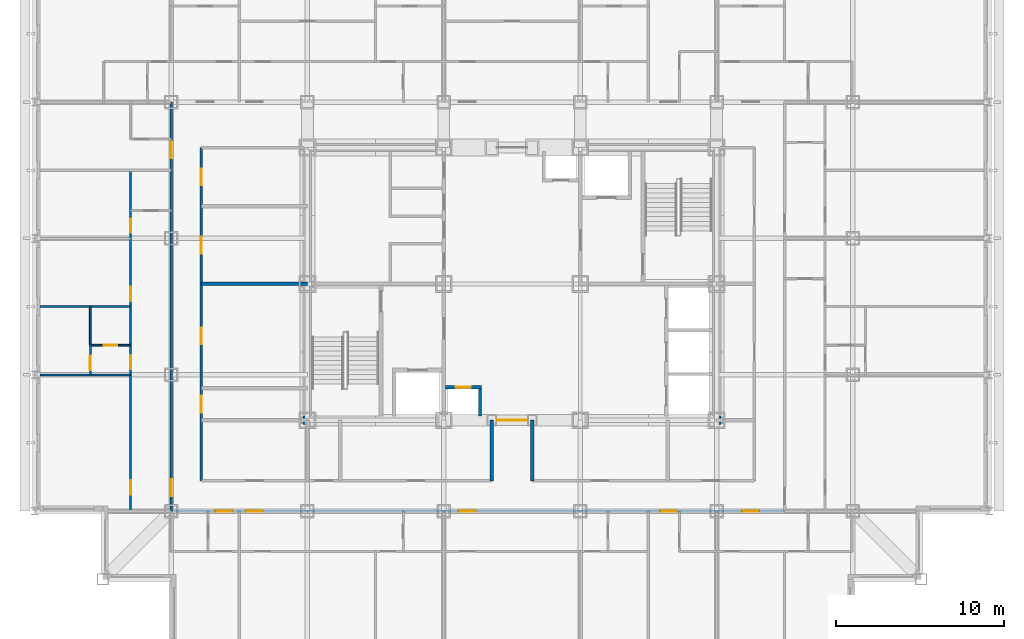
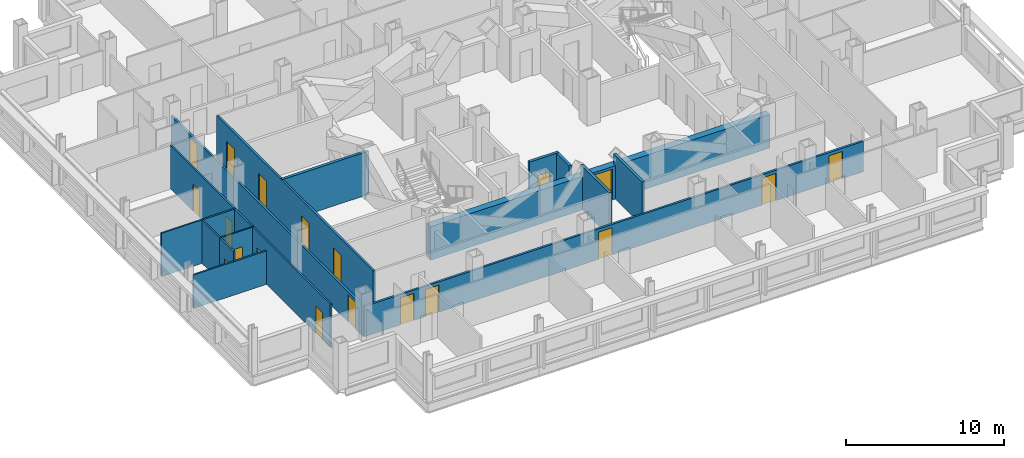
# One storey, part 5 of 12: 19 doors, 15 walls, 19 openings.
"""IFC4 building model written with IfcOpenShell, lengths in metres."""

from ifc_helpers import new_model, si_unit, direction, frame, frame_2d, origin, place, context, subcontext, project, spatial, rectangle, extrude, material, layer, layer_set, type_object, element, fill, save


model = new_model("IFC4")

# Units and contexts
model_context = context("Model", 3, precision=1e-05, world=origin(), true_north=direction((0.0, 1.0)))
body_context = subcontext(model_context, "Body", "Model", "MODEL_VIEW")
ifc_project = project(units=[si_unit("LENGTHUNIT", "METRE"), si_unit("AREAUNIT", "SQUARE_METRE"), si_unit("VOLUMEUNIT", "CUBIC_METRE"), si_unit("PLANEANGLEUNIT", "RADIAN"), si_unit("MASSUNIT", "GRAM", prefix="KILO")], contexts=[model_context])

# Site, building, storey
site_placement = place(None, origin())
site = spatial("IfcSite", under=ifc_project, at=site_placement, CompositionType="ELEMENT")
building_placement = place(site_placement, origin())
building = spatial("IfcBuilding", under=site, at=building_placement, Name="Kopane Lantern Tower", CompositionType="ELEMENT")
storey_placement = place(building_placement, frame((0.0, 0.0, 231.60009765625)))
storey = spatial("IfcBuildingStorey", under=building, at=storey_placement, Name="L60", CompositionType="ELEMENT", Elevation=231.60009765625)

# Wall, openings, doors
ifc_material_1 = material(Name="Gypsum board on steel studs", Category="steel")
ifc_layer_1 = layer(ifc_material_1, 0.1201171875)
ifc_layer_set_1 = layer_set([ifc_layer_1], Name="APARTMENT INTERNAL WALL 120")
wall_type_1 = type_object("IfcWallType", Name="APARTMENT INTERNAL WALL 120", PredefinedType="PARTITIONING", material=ifc_layer_set_1)
wall_1_placement = place(storey_placement, frame((5.699951171875, 18.89990234375, 0.0), z_axis=(0.0, 0.0, 1.0), x_axis=(0.0, 1.0, 0.0)))
wall_1 = element("IfcWall", 1, at=wall_1_placement, inside=storey, type_object=wall_type_1, Name="Apartment Internal Wall 120 L60", PredefinedType="PARTITIONING", context=body_context, shape_type="SweptSolid", body=[
    extrude(rectangle(XDim=20.25, YDim=0.1201171875, at=frame_2d((10.125, 0.0))), origin(), (0.0, 0.0, 1.0), 3.349853515625),
])
opening_1_placement = place(wall_1_placement, frame((0.97509765625, 0.0, 0.0)))
opening_1 = element("IfcOpeningElement", 2, at=opening_1_placement, cuts=wall_1, Name="Opening L60-034", PredefinedType="OPENING", context=body_context, shape_type="SweptSolid", body=[
    extrude(rectangle(XDim=0.85009765625, YDim=2.10009765625, at=frame_2d((0.425048828125, 1.050048828125))), frame((0.0, 0.070068359375, 0.0), z_axis=(0.0, -1.0, 0.0), x_axis=(1.0, 0.0, 0.0)), (0.0, 0.0, 1.0), 0.14013671875),
])
opening_2_placement = place(wall_1_placement, frame((8.425048828125, 0.0, 0.0)))
opening_2 = element("IfcOpeningElement", 3, at=opening_2_placement, cuts=wall_1, Name="Opening L60-036", PredefinedType="OPENING", context=body_context, shape_type="SweptSolid", body=[
    extrude(rectangle(XDim=0.85009765625, YDim=2.10009765625, at=frame_2d((0.425048828125, 1.050048828125))), frame((0.0, 0.070068359375, 0.0), z_axis=(0.0, -1.0, 0.0), x_axis=(1.0, 0.0, 0.0)), (0.0, 0.0, 1.0), 0.14013671875),
])
opening_3_placement = place(wall_1_placement, frame((12.47509765625, 0.0, 0.0)))
opening_3 = element("IfcOpeningElement", 4, at=opening_3_placement, cuts=wall_1, Name="Opening L60-037", PredefinedType="OPENING", context=body_context, shape_type="SweptSolid", body=[
    extrude(rectangle(XDim=0.85009765625, YDim=2.10009765625, at=frame_2d((0.425048828125, 1.050048828125))), frame((0.0, 0.070068359375, 0.0), z_axis=(0.0, -1.0, 0.0), x_axis=(1.0, 0.0, 0.0)), (0.0, 0.0, 1.0), 0.14013671875),
])
opening_4_placement = place(wall_1_placement, frame((16.52490234375, 0.0, 0.0)))
opening_4 = element("IfcOpeningElement", 5, at=opening_4_placement, cuts=wall_1, Name="Opening L60-038", PredefinedType="OPENING", context=body_context, shape_type="SweptSolid", body=[
    extrude(rectangle(XDim=0.85009765625, YDim=2.10009765625, at=frame_2d((0.425048828125, 1.050048828125))), frame((0.0, 0.070068359375, 0.0), z_axis=(0.0, -1.0, 0.0), x_axis=(1.0, 0.0, 0.0)), (0.0, 0.0, 1.0), 0.14013671875),
])
ifc_material_2 = material(Name="Timber door set", Category="wood")
door_type_1 = type_object("IfcDoorType", Name="DOOR D4 850x2100", OperationType="SINGLE_SWING_LEFT", PredefinedType="DOOR", material=ifc_material_2)
door_1_placement = place(opening_1_placement, origin())
door_1 = element("IfcDoor", 6, at=door_1_placement, inside=storey, type_object=door_type_1, Name="Door L60-034", OperationType="SINGLE_SWING_RIGHT", OverallHeight=2.10009765625, OverallWidth=0.85009765625, PredefinedType="DOOR", context=body_context, shape_type="SweptSolid", body=[
    extrude(rectangle(XDim=0.85009765625, YDim=2.10009765625, at=frame_2d((0.425048828125, 1.050048828125))), frame((0.0, 0.02490234375, 0.0), z_axis=(0.0, -1.0, 0.0), x_axis=(1.0, 0.0, 0.0)), (0.0, 0.0, 1.0), 0.050048828125),
])
fill(opening_1, door_1)
door_2_placement = place(opening_2_placement, origin())
door_2 = element("IfcDoor", 7, at=door_2_placement, inside=storey, type_object=door_type_1, Name="Door L60-036", OperationType="SINGLE_SWING_LEFT", OverallHeight=2.10009765625, OverallWidth=0.85009765625, PredefinedType="DOOR", context=body_context, shape_type="SweptSolid", body=[
    extrude(rectangle(XDim=0.85009765625, YDim=2.10009765625, at=frame_2d((0.425048828125, 1.050048828125))), frame((0.0, 0.02490234375, 0.0), z_axis=(0.0, -1.0, 0.0), x_axis=(1.0, 0.0, 0.0)), (0.0, 0.0, 1.0), 0.050048828125),
])
fill(opening_2, door_2)
door_3_placement = place(opening_3_placement, origin())
door_3 = element("IfcDoor", 8, at=door_3_placement, inside=storey, type_object=door_type_1, Name="Door L60-037", OperationType="SINGLE_SWING_LEFT", OverallHeight=2.10009765625, OverallWidth=0.85009765625, PredefinedType="DOOR", context=body_context, shape_type="SweptSolid", body=[
    extrude(rectangle(XDim=0.85009765625, YDim=2.10009765625, at=frame_2d((0.425048828125, 1.050048828125))), frame((0.0, 0.02490234375, 0.0), z_axis=(0.0, -1.0, 0.0), x_axis=(1.0, 0.0, 0.0)), (0.0, 0.0, 1.0), 0.050048828125),
])
fill(opening_3, door_3)
door_4_placement = place(opening_4_placement, origin())
door_4 = element("IfcDoor", 9, at=door_4_placement, inside=storey, type_object=door_type_1, Name="Door L60-038", OperationType="SINGLE_SWING_LEFT", OverallHeight=2.10009765625, OverallWidth=0.85009765625, PredefinedType="DOOR", context=body_context, shape_type="SweptSolid", body=[
    extrude(rectangle(XDim=0.85009765625, YDim=2.10009765625, at=frame_2d((0.425048828125, 1.050048828125))), frame((0.0, 0.02490234375, 0.0), z_axis=(0.0, -1.0, 0.0), x_axis=(1.0, 0.0, 0.0)), (0.0, 0.0, 1.0), 0.050048828125),
])
fill(opening_4, door_4)

# Walls
wall_2_placement = place(storey_placement, frame((5.699951171875, 27.0, 0.0), z_axis=(0.0, 0.0, 1.0), x_axis=(-1.0, 0.0, 0.0)))
element("IfcWall", 10, at=wall_2_placement, inside=storey, type_object=wall_type_1, Name="Apartment Internal Wall 120 L60", PredefinedType="PARTITIONING", context=body_context, shape_type="SweptSolid", body=[
    extrude(rectangle(XDim=5.39990234375, YDim=0.1201171875, at=frame_2d((2.699951171875, 0.0))), origin(), (0.0, 0.0, 1.0), 2.587646484375),
])
wall_3_placement = place(storey_placement, frame((5.699951171875, 31.050048828125, 0.0), z_axis=(0.0, 0.0, 1.0), x_axis=(-1.0, 0.0, 0.0)))
element("IfcWall", 11, at=wall_3_placement, inside=storey, type_object=wall_type_1, Name="Apartment Internal Wall 120 L60", PredefinedType="PARTITIONING", context=body_context, shape_type="SweptSolid", body=[
    extrude(rectangle(XDim=5.39990234375, YDim=0.1201171875, at=frame_2d((2.699951171875, 0.0))), origin(), (0.0, 0.0, 1.0), 3.349853515625),
])

# Wall, opening, door
wall_4_placement = place(storey_placement, frame((3.300048828125, 27.0, 0.0), z_axis=(0.0, 0.0, 1.0), x_axis=(0.0, 1.0, 0.0)))
wall_4 = element("IfcWall", 12, at=wall_4_placement, inside=storey, type_object=wall_type_1, Name="Apartment Internal Wall 120 L60", PredefinedType="PARTITIONING", context=body_context, shape_type="SweptSolid", body=[
    extrude(rectangle(XDim=1.760009765625, YDim=0.1201171875, at=frame_2d((0.8798828125, 0.0))), origin(), (0.0, 0.0, 1.0), 3.349853515625),
])
opening_5_placement = place(wall_4_placement, frame((0.27490234375, 0.0, 0.0)))
opening_5 = element("IfcOpeningElement", 13, at=opening_5_placement, cuts=wall_4, Name="Opening L60-068", PredefinedType="OPENING", context=body_context, shape_type="SweptSolid", body=[
    extrude(rectangle(XDim=0.85009765625, YDim=2.10009765625, at=frame_2d((0.425048828125, 1.050048828125))), frame((0.0, 0.070068359375, 0.0), z_axis=(0.0, -1.0, 0.0), x_axis=(1.0, 0.0, 0.0)), (0.0, 0.0, 1.0), 0.14013671875),
])
door_5_placement = place(opening_5_placement, origin())
door_5 = element("IfcDoor", 14, at=door_5_placement, inside=storey, type_object=door_type_1, Name="Door L60-068", OperationType="SINGLE_SWING_LEFT", OverallHeight=2.10009765625, OverallWidth=0.85009765625, PredefinedType="DOOR", context=body_context, shape_type="SweptSolid", body=[
    extrude(rectangle(XDim=0.85009765625, YDim=2.10009765625, at=frame_2d((0.425048828125, 1.050048828125))), frame((0.0, 0.02490234375, 0.0), z_axis=(0.0, -1.0, 0.0), x_axis=(1.0, 0.0, 0.0)), (0.0, 0.0, 1.0), 0.050048828125),
])
fill(opening_5, door_5)

ifc_material_3 = material(Name="Moisture-resistant board on steel studs", Category="steel")
ifc_layer_2 = layer(ifc_material_3, 0.10009765625)
ifc_layer_set_2 = layer_set([ifc_layer_2], Name="BATHROOM WALL 100")
wall_type_2 = type_object("IfcWallType", Name="BATHROOM WALL 100", PredefinedType="PARTITIONING", material=ifc_layer_set_2)
wall_5_placement = place(storey_placement, frame((5.699951171875, 28.75, 0.0), z_axis=(0.0, 0.0, 1.0), x_axis=(-1.0, 0.0, 0.0)))
wall_5 = element("IfcWall", 15, at=wall_5_placement, inside=storey, type_object=wall_type_2, Name="Bathroom Wall 100 L60", PredefinedType="PARTITIONING", context=body_context, shape_type="SweptSolid", body=[
    extrude(rectangle(XDim=2.39990234375, YDim=0.10009765625, at=frame_2d((1.199951171875, 0.0))), origin(), (0.0, 0.0, 1.0), 3.349853515625),
])
opening_6_placement = place(wall_5_placement, frame((0.800048828125, 0.0, 0.0)))
opening_6 = element("IfcOpeningElement", 16, at=opening_6_placement, cuts=wall_5, Name="Opening L60-035", PredefinedType="OPENING", context=body_context, shape_type="SweptSolid", body=[
    extrude(rectangle(XDim=0.800048828125, YDim=2.10009765625, at=frame_2d((0.39990234375, 1.050048828125))), frame((0.0, 0.06005859375, 0.0), z_axis=(0.0, -1.0, 0.0), x_axis=(1.0, 0.0, 0.0)), (0.0, 0.0, 1.0), 0.1201171875),
])
ifc_material_4 = material(Name="Timber door set", Category="wood")
door_type_2 = type_object("IfcDoorType", Name="DOOR D2 800x2100", OperationType="SINGLE_SWING_LEFT", PredefinedType="DOOR", material=ifc_material_4)
door_6_placement = place(opening_6_placement, origin())
door_6 = element("IfcDoor", 17, at=door_6_placement, inside=storey, type_object=door_type_2, Name="Door L60-035", OperationType="SINGLE_SWING_RIGHT", OverallHeight=2.10009765625, OverallWidth=0.800048828125, PredefinedType="DOOR", context=body_context, shape_type="SweptSolid", body=[
    extrude(rectangle(XDim=0.800048828125, YDim=2.10009765625, at=frame_2d((0.39990234375, 1.050048828125))), frame((0.0, 0.02490234375, 0.0), z_axis=(0.0, -1.0, 0.0), x_axis=(1.0, 0.0, 0.0)), (0.0, 0.0, 1.0), 0.050048828125),
])
fill(opening_6, door_6)

# Wall
wall_6_placement = place(storey_placement, frame((3.300048828125, 28.75, 0.0), z_axis=(0.0, 0.0, 1.0), x_axis=(0.0, 1.0, 0.0)))
element("IfcWall", 18, at=wall_6_placement, inside=storey, type_object=wall_type_2, Name="Bathroom Wall 100 L60", PredefinedType="PARTITIONING", context=body_context, shape_type="SweptSolid", body=[
    extrude(rectangle(XDim=2.300048828125, YDim=0.10009765625, at=frame_2d((1.14990234375, 0.0))), origin(), (0.0, 0.0, 1.0), 3.349853515625),
])

# Wall, opening, door
ifc_material_5 = material(Name="Gypsum shaft wall EI 120", Category="gypsum")
ifc_layer_3 = layer(ifc_material_5, 0.5)
ifc_layer_set_3 = layer_set([ifc_layer_3], Name="CORE PERIMETER WALL 500 EI 120")
wall_type_3 = type_object("IfcWallType", Name="CORE PERIMETER WALL 500 EI 120", PredefinedType="SOLIDWALL", material=ifc_layer_set_3)
wall_7_placement = place(storey_placement, frame((15.949951171875, 24.300048828125, 0.0), z_axis=(0.0, 0.0, 1.0), x_axis=(1.0, 0.0, 0.0)))
wall_7 = element("IfcWall", 19, at=wall_7_placement, inside=storey, type_object=wall_type_3, Name="Core shaft wall L60 PS", PredefinedType="SOLIDWALL", context=body_context, shape_type="SweptSolid", body=[
    extrude(rectangle(XDim=24.800048828125, YDim=0.5, at=frame_2d((12.39990234375, 0.0))), origin(), (0.0, 0.0, 1.0), 2.587646484375),
])
opening_7_placement = place(wall_7_placement, frame((11.5, 0.0, 0.0)))
opening_7 = element("IfcOpeningElement", 20, at=opening_7_placement, cuts=wall_7, Name="Opening 60.CE-S", PredefinedType="OPENING", context=body_context, shape_type="SweptSolid", body=[
    extrude(rectangle(XDim=1.800048828125, YDim=2.39990234375, at=frame_2d((0.89990234375, 1.199951171875))), frame((0.0, 0.260009765625, 0.0), z_axis=(0.0, -1.0, 0.0), x_axis=(1.0, 0.0, 0.0)), (0.0, 0.0, 1.0), 0.52001953125),
])
ifc_material_6 = material(Name="Steel door set", Category="steel")
door_type_3 = type_object("IfcDoorType", Name="CORE ENTRY DOOR 1800x2400 FD60S", OperationType="DOUBLE_DOOR_SINGLE_SWING", PredefinedType="DOOR", material=ifc_material_6)
door_7_placement = place(opening_7_placement, origin())
door_7 = element("IfcDoor", 21, at=door_7_placement, inside=storey, type_object=door_type_3, Name="Core entry door L60 south", OperationType="DOUBLE_DOOR_SINGLE_SWING", OverallHeight=2.39990234375, OverallWidth=1.800048828125, PredefinedType="DOOR", context=body_context, shape_type="SweptSolid", body=[
    extrude(rectangle(XDim=1.800048828125, YDim=2.39990234375, at=frame_2d((0.89990234375, 1.199951171875))), frame((0.0, 0.02490234375, 0.0), z_axis=(0.0, -1.0, 0.0), x_axis=(1.0, 0.0, 0.0)), (0.0, 0.0, 1.0), 0.050048828125),
])
fill(opening_7, door_7)

# Wall, openings, doors
ifc_material_7 = material(Name="Gypsum board on steel studs", Category="steel")
ifc_layer_4 = layer(ifc_material_7, 0.14990234375)
ifc_layer_set_4 = layer_set([ifc_layer_4], Name="CORRIDOR WALL 150 EI 60")
wall_type_4 = type_object("IfcWallType", Name="CORRIDOR WALL 150 EI 60", PredefinedType="PARTITIONING", material=ifc_layer_set_4)
wall_8_placement = place(storey_placement, frame((8.10009765625, 18.89990234375, 0.0), z_axis=(0.0, 0.0, 1.0), x_axis=(1.0, 0.0, 0.0)))
wall_8 = element("IfcWall", 22, at=wall_8_placement, inside=storey, type_object=wall_type_4, Name="Corridor Wall 150 Ei 60 L60", PredefinedType="PARTITIONING", context=body_context, shape_type="SweptSolid", body=[
    extrude(rectangle(XDim=36.449951171875, YDim=0.14990234375, at=frame_2d((18.22509765625, 0.0))), origin(), (0.0, 0.0, 1.0), 2.349853515625),
])
opening_8_placement = place(wall_8_placement, frame((4.449951171875, 0.0, 0.0)))
opening_8 = element("IfcOpeningElement", 23, at=opening_8_placement, cuts=wall_8, Name="Opening L60-013", PredefinedType="OPENING", context=body_context, shape_type="SweptSolid", body=[
    extrude(rectangle(XDim=1.0, YDim=2.10009765625, at=frame_2d((0.5, 1.050048828125))), frame((0.0, 0.0849609375, 0.0), z_axis=(0.0, -1.0, 0.0), x_axis=(1.0, 0.0, 0.0)), (0.0, 0.0, 1.0), 0.169921875),
])
opening_9_placement = place(wall_8_placement, frame((17.10009765625, 0.0, 0.0)))
opening_9 = element("IfcOpeningElement", 24, at=opening_9_placement, cuts=wall_8, Name="Opening L60-017", PredefinedType="OPENING", context=body_context, shape_type="SweptSolid", body=[
    extrude(rectangle(XDim=1.0, YDim=2.10009765625, at=frame_2d((0.5, 1.050048828125))), frame((0.0, 0.0849609375, 0.0), z_axis=(0.0, -1.0, 0.0), x_axis=(1.0, 0.0, 0.0)), (0.0, 0.0, 1.0), 0.169921875),
])
opening_10_placement = place(wall_8_placement, frame((29.050048828125, 0.0, 0.0)))
opening_10 = element("IfcOpeningElement", 25, at=opening_10_placement, cuts=wall_8, Name="Opening L60-021", PredefinedType="OPENING", context=body_context, shape_type="SweptSolid", body=[
    extrude(rectangle(XDim=1.0, YDim=2.10009765625, at=frame_2d((0.5, 1.050048828125))), frame((0.0, 0.0849609375, 0.0), z_axis=(0.0, -1.0, 0.0), x_axis=(1.0, 0.0, 0.0)), (0.0, 0.0, 1.0), 0.169921875),
])
opening_11_placement = place(wall_8_placement, frame((2.625, 0.0, 0.0)))
opening_11 = element("IfcOpeningElement", 26, at=opening_11_placement, cuts=wall_8, Name="Opening L60-052", PredefinedType="OPENING", context=body_context, shape_type="SweptSolid", body=[
    extrude(rectangle(XDim=1.0, YDim=2.10009765625, at=frame_2d((0.5, 1.050048828125))), frame((0.0, 0.0849609375, 0.0), z_axis=(0.0, -1.0, 0.0), x_axis=(1.0, 0.0, 0.0)), (0.0, 0.0, 1.0), 0.169921875),
])
opening_12_placement = place(wall_8_placement, frame((33.925048828125, 0.0, 0.0)))
opening_12 = element("IfcOpeningElement", 27, at=opening_12_placement, cuts=wall_8, Name="Opening L60-054", PredefinedType="OPENING", context=body_context, shape_type="SweptSolid", body=[
    extrude(rectangle(XDim=1.0, YDim=2.10009765625, at=frame_2d((0.5, 1.050048828125))), frame((0.0, 0.0849609375, 0.0), z_axis=(0.0, -1.0, 0.0), x_axis=(1.0, 0.0, 0.0)), (0.0, 0.0, 1.0), 0.169921875),
])
ifc_material_8 = material(Name="Steel door set", Category="steel")
door_type_4 = type_object("IfcDoorType", Name="DOOR D3 1000x2100 FD30S", OperationType="SINGLE_SWING_LEFT", PredefinedType="DOOR", material=ifc_material_8)
door_8_placement = place(opening_8_placement, origin())
door_8 = element("IfcDoor", 28, at=door_8_placement, inside=storey, type_object=door_type_4, Name="Door L60-013", OperationType="SINGLE_SWING_RIGHT", OverallHeight=2.10009765625, OverallWidth=1.0, PredefinedType="DOOR", context=body_context, shape_type="SweptSolid", body=[
    extrude(rectangle(XDim=1.0, YDim=2.10009765625, at=frame_2d((0.5, 1.050048828125))), frame((0.0, 0.02490234375, 0.0), z_axis=(0.0, -1.0, 0.0), x_axis=(1.0, 0.0, 0.0)), (0.0, 0.0, 1.0), 0.050048828125),
])
fill(opening_8, door_8)
door_9_placement = place(opening_9_placement, origin())
door_9 = element("IfcDoor", 29, at=door_9_placement, inside=storey, type_object=door_type_4, Name="Door L60-017", OperationType="SINGLE_SWING_RIGHT", OverallHeight=2.10009765625, OverallWidth=1.0, PredefinedType="DOOR", context=body_context, shape_type="SweptSolid", body=[
    extrude(rectangle(XDim=1.0, YDim=2.10009765625, at=frame_2d((0.5, 1.050048828125))), frame((0.0, 0.02490234375, 0.0), z_axis=(0.0, -1.0, 0.0), x_axis=(1.0, 0.0, 0.0)), (0.0, 0.0, 1.0), 0.050048828125),
])
fill(opening_9, door_9)
door_10_placement = place(opening_10_placement, origin())
door_10 = element("IfcDoor", 30, at=door_10_placement, inside=storey, type_object=door_type_4, Name="Door L60-021", OperationType="SINGLE_SWING_LEFT", OverallHeight=2.10009765625, OverallWidth=1.0, PredefinedType="DOOR", context=body_context, shape_type="SweptSolid", body=[
    extrude(rectangle(XDim=1.0, YDim=2.10009765625, at=frame_2d((0.5, 1.050048828125))), frame((0.0, 0.02490234375, 0.0), z_axis=(0.0, -1.0, 0.0), x_axis=(1.0, 0.0, 0.0)), (0.0, 0.0, 1.0), 0.050048828125),
])
fill(opening_10, door_10)
door_11_placement = place(opening_11_placement, origin())
door_11 = element("IfcDoor", 31, at=door_11_placement, inside=storey, type_object=door_type_4, Name="Door L60-052", OperationType="SINGLE_SWING_RIGHT", OverallHeight=2.10009765625, OverallWidth=1.0, PredefinedType="DOOR", context=body_context, shape_type="SweptSolid", body=[
    extrude(rectangle(XDim=1.0, YDim=2.10009765625, at=frame_2d((0.5, 1.050048828125))), frame((0.0, 0.02490234375, 0.0), z_axis=(0.0, -1.0, 0.0), x_axis=(1.0, 0.0, 0.0)), (0.0, 0.0, 1.0), 0.050048828125),
])
fill(opening_11, door_11)
door_12_placement = place(opening_12_placement, origin())
door_12 = element("IfcDoor", 32, at=door_12_placement, inside=storey, type_object=door_type_4, Name="Door L60-054", OperationType="SINGLE_SWING_RIGHT", OverallHeight=2.10009765625, OverallWidth=1.0, PredefinedType="DOOR", context=body_context, shape_type="SweptSolid", body=[
    extrude(rectangle(XDim=1.0, YDim=2.10009765625, at=frame_2d((0.5, 1.050048828125))), frame((0.0, 0.02490234375, 0.0), z_axis=(0.0, -1.0, 0.0), x_axis=(1.0, 0.0, 0.0)), (0.0, 0.0, 1.0), 0.050048828125),
])
fill(opening_12, door_12)

wall_9_placement = place(storey_placement, frame((8.10009765625, 18.89990234375, 0.0), z_axis=(0.0, 0.0, 1.0), x_axis=(0.0, 1.0, 0.0)))
wall_9 = element("IfcWall", 33, at=wall_9_placement, inside=storey, type_object=wall_type_4, Name="Corridor Wall 150 Ei 60 L60", PredefinedType="PARTITIONING", context=body_context, shape_type="SweptSolid", body=[
    extrude(rectangle(XDim=24.300048828125, YDim=0.14990234375, at=frame_2d((12.14990234375, 0.0))), origin(), (0.0, 0.0, 1.0), 2.349853515625),
])
opening_13_placement = place(wall_9_placement, frame((0.89990234375, 0.0, 0.0)))
opening_13 = element("IfcOpeningElement", 34, at=opening_13_placement, cuts=wall_9, Name="Opening L60-033", PredefinedType="OPENING", context=body_context, shape_type="SweptSolid", body=[
    extrude(rectangle(XDim=1.0, YDim=2.10009765625, at=frame_2d((0.5, 1.050048828125))), frame((0.0, 0.0849609375, 0.0), z_axis=(0.0, -1.0, 0.0), x_axis=(1.0, 0.0, 0.0)), (0.0, 0.0, 1.0), 0.169921875),
])
opening_14_placement = place(wall_9_placement, frame((20.949951171875, 0.0, 0.0)))
opening_14 = element("IfcOpeningElement", 35, at=opening_14_placement, cuts=wall_9, Name="Opening L60-040", PredefinedType="OPENING", context=body_context, shape_type="SweptSolid", body=[
    extrude(rectangle(XDim=1.0, YDim=2.10009765625, at=frame_2d((0.5, 1.050048828125))), frame((0.0, 0.0849609375, 0.0), z_axis=(0.0, -1.0, 0.0), x_axis=(1.0, 0.0, 0.0)), (0.0, 0.0, 1.0), 0.169921875),
])
door_13_placement = place(opening_13_placement, origin())
door_13 = element("IfcDoor", 36, at=door_13_placement, inside=storey, type_object=door_type_4, Name="Door L60-033", OperationType="SINGLE_SWING_LEFT", OverallHeight=2.10009765625, OverallWidth=1.0, PredefinedType="DOOR", context=body_context, shape_type="SweptSolid", body=[
    extrude(rectangle(XDim=1.0, YDim=2.10009765625, at=frame_2d((0.5, 1.050048828125))), frame((0.0, 0.02490234375, 0.0), z_axis=(0.0, -1.0, 0.0), x_axis=(1.0, 0.0, 0.0)), (0.0, 0.0, 1.0), 0.050048828125),
])
fill(opening_13, door_13)
door_14_placement = place(opening_14_placement, origin())
door_14 = element("IfcDoor", 37, at=door_14_placement, inside=storey, type_object=door_type_4, Name="Door L60-040", OperationType="SINGLE_SWING_RIGHT", OverallHeight=2.10009765625, OverallWidth=1.0, PredefinedType="DOOR", context=body_context, shape_type="SweptSolid", body=[
    extrude(rectangle(XDim=1.0, YDim=2.10009765625, at=frame_2d((0.5, 1.050048828125))), frame((0.0, 0.02490234375, 0.0), z_axis=(0.0, -1.0, 0.0), x_axis=(1.0, 0.0, 0.0)), (0.0, 0.0, 1.0), 0.050048828125),
])
fill(opening_14, door_14)

wall_10_placement = place(storey_placement, frame((9.89990234375, 40.5, 0.0), z_axis=(0.0, 0.0, 1.0), x_axis=(0.0, -1.0, 0.0)))
wall_10 = element("IfcWall", 38, at=wall_10_placement, inside=storey, type_object=wall_type_4, Name="Corridor Wall 150 Ei 60 L60", PredefinedType="PARTITIONING", context=body_context, shape_type="SweptSolid", body=[
    extrude(rectangle(XDim=19.800048828125, YDim=0.14990234375, at=frame_2d((9.89990234375, 0.0))), origin(), (0.0, 0.0, 1.0), 3.349853515625),
])
opening_15_placement = place(wall_10_placement, frame((14.74755859375, 0.0, 0.0)))
opening_15 = element("IfcOpeningElement", 39, at=opening_15_placement, cuts=wall_10, Name="Opening L60-001", PredefinedType="OPENING", context=body_context, shape_type="SweptSolid", body=[
    extrude(rectangle(XDim=1.0, YDim=2.10009765625, at=frame_2d((0.5, 1.050048828125))), frame((0.0, 0.0849609375, 0.0), z_axis=(0.0, -1.0, 0.0), x_axis=(1.0, 0.0, 0.0)), (0.0, 0.0, 1.0), 0.169921875),
])
opening_16_placement = place(wall_10_placement, frame((10.697509765625, 0.0, 0.0)))
opening_16 = element("IfcOpeningElement", 40, at=opening_16_placement, cuts=wall_10, Name="Opening L60-002", PredefinedType="OPENING", context=body_context, shape_type="SweptSolid", body=[
    extrude(rectangle(XDim=1.0, YDim=2.10009765625, at=frame_2d((0.5, 1.050048828125))), frame((0.0, 0.0849609375, 0.0), z_axis=(0.0, -1.0, 0.0), x_axis=(1.0, 0.0, 0.0)), (0.0, 0.0, 1.0), 0.169921875),
])
opening_17_placement = place(wall_10_placement, frame((5.29833984375, 0.0, 0.0)))
opening_17 = element("IfcOpeningElement", 41, at=opening_17_placement, cuts=wall_10, Name="Opening L60-003", PredefinedType="OPENING", context=body_context, shape_type="SweptSolid", body=[
    extrude(rectangle(XDim=1.0, YDim=2.10009765625, at=frame_2d((0.5, 1.050048828125))), frame((0.0, 0.0849609375, 0.0), z_axis=(0.0, -1.0, 0.0), x_axis=(1.0, 0.0, 0.0)), (0.0, 0.0, 1.0), 0.169921875),
])
opening_18_placement = place(wall_10_placement, frame((1.248291015625, 0.0, 0.0)))
opening_18 = element("IfcOpeningElement", 42, at=opening_18_placement, cuts=wall_10, Name="Opening L60-004", PredefinedType="OPENING", context=body_context, shape_type="SweptSolid", body=[
    extrude(rectangle(XDim=1.0, YDim=2.10009765625, at=frame_2d((0.5, 1.050048828125))), frame((0.0, 0.0849609375, 0.0), z_axis=(0.0, -1.0, 0.0), x_axis=(1.0, 0.0, 0.0)), (0.0, 0.0, 1.0), 0.169921875),
])
ifc_material_9 = material(Name="Steel door set", Category="steel")
door_type_5 = type_object("IfcDoorType", Name="DOOR D5 1000x2100 FD60", OperationType="SINGLE_SWING_LEFT", PredefinedType="DOOR", material=ifc_material_9)
door_15_placement = place(opening_15_placement, origin())
door_15 = element("IfcDoor", 43, at=door_15_placement, inside=storey, type_object=door_type_5, Name="Door L60-001", OperationType="SINGLE_SWING_RIGHT", OverallHeight=2.10009765625, OverallWidth=1.0, PredefinedType="DOOR", context=body_context, shape_type="SweptSolid", body=[
    extrude(rectangle(XDim=1.0, YDim=2.10009765625, at=frame_2d((0.5, 1.050048828125))), frame((0.0, 0.02490234375, 0.0), z_axis=(0.0, -1.0, 0.0), x_axis=(1.0, 0.0, 0.0)), (0.0, 0.0, 1.0), 0.050048828125),
])
fill(opening_15, door_15)
door_16_placement = place(opening_16_placement, origin())
door_16 = element("IfcDoor", 44, at=door_16_placement, inside=storey, type_object=door_type_5, Name="Door L60-002", OperationType="SINGLE_SWING_LEFT", OverallHeight=2.10009765625, OverallWidth=1.0, PredefinedType="DOOR", context=body_context, shape_type="SweptSolid", body=[
    extrude(rectangle(XDim=1.0, YDim=2.10009765625, at=frame_2d((0.5, 1.050048828125))), frame((0.0, 0.02490234375, 0.0), z_axis=(0.0, -1.0, 0.0), x_axis=(1.0, 0.0, 0.0)), (0.0, 0.0, 1.0), 0.050048828125),
])
fill(opening_16, door_16)
door_17_placement = place(opening_17_placement, origin())
door_17 = element("IfcDoor", 45, at=door_17_placement, inside=storey, type_object=door_type_5, Name="Door L60-003", OperationType="SINGLE_SWING_RIGHT", OverallHeight=2.10009765625, OverallWidth=1.0, PredefinedType="DOOR", context=body_context, shape_type="SweptSolid", body=[
    extrude(rectangle(XDim=1.0, YDim=2.10009765625, at=frame_2d((0.5, 1.050048828125))), frame((0.0, 0.02490234375, 0.0), z_axis=(0.0, -1.0, 0.0), x_axis=(1.0, 0.0, 0.0)), (0.0, 0.0, 1.0), 0.050048828125),
])
fill(opening_17, door_17)
door_18_placement = place(opening_18_placement, origin())
door_18 = element("IfcDoor", 46, at=door_18_placement, inside=storey, type_object=door_type_5, Name="Door L60-004", OperationType="SINGLE_SWING_LEFT", OverallHeight=2.10009765625, OverallWidth=1.0, PredefinedType="DOOR", context=body_context, shape_type="SweptSolid", body=[
    extrude(rectangle(XDim=1.0, YDim=2.10009765625, at=frame_2d((0.5, 1.050048828125))), frame((0.0, 0.02490234375, 0.0), z_axis=(0.0, -1.0, 0.0), x_axis=(1.0, 0.0, 0.0)), (0.0, 0.0, 1.0), 0.050048828125),
])
fill(opening_18, door_18)

# Walls
ifc_material_10 = material(Name="Concrete masonry", Category="masonry")
ifc_layer_5 = layer(ifc_material_10, 0.199951171875)
ifc_layer_set_5 = layer_set([ifc_layer_5], Name="PLANT ROOM WALL 200 EI 120")
wall_type_5 = type_object("IfcWallType", Name="PLANT ROOM WALL 200 EI 120", PredefinedType="SOLIDWALL", material=ifc_layer_set_5)
wall_11_placement = place(storey_placement, frame((9.89990234375, 32.39990234375, 0.0), z_axis=(0.0, 0.0, 1.0), x_axis=(1.0, 0.0, 0.0)))
element("IfcWall", 47, at=wall_11_placement, inside=storey, type_object=wall_type_5, Name="Plant Room Wall 200 Ei 120 L60", PredefinedType="SOLIDWALL", context=body_context, shape_type="SweptSolid", body=[
    extrude(rectangle(XDim=6.300048828125, YDim=0.199951171875, at=frame_2d((3.14990234375, 0.0))), origin(), (0.0, 0.0, 1.0), 3.349853515625),
])
for number, where, z_axis, x_axis, name in (
    (48, (27.14990234375, 20.699951171875, 0.0), (0.0, 0.0, 1.0), (0.0, 1.0, 0.0), "Plant Room Wall 200 Ei 120 L60"),
    (49, (29.550048828125, 20.699951171875, 0.0), (0.0, 0.0, 1.0), (0.0, 1.0, 0.0), "Plant Room Wall 200 Ei 120 L60"),
):
    element("IfcWall", number, at=place(storey_placement, frame(where, z_axis=z_axis, x_axis=x_axis)), inside=storey, type_object=wall_type_5, Name=name, PredefinedType="SOLIDWALL", context=body_context, shape_type="SweptSolid", body=[
        extrude(rectangle(XDim=3.60009765625, YDim=0.199951171875, at=frame_2d((1.800048828125, 0.0))), origin(), (0.0, 0.0, 1.0), 3.349853515625),
    ])
ifc_material_11 = material(Name="Gypsum shaft wall EI 120", Category="gypsum")
ifc_layer_6 = layer(ifc_material_11, 0.199951171875)
ifc_layer_set_6 = layer_set([ifc_layer_6], Name="SHAFT WALL 200 EI 120")
wall_type_6 = type_object("IfcWallType", Name="SHAFT WALL 200 EI 120", PredefinedType="SOLIDWALL", material=ifc_layer_set_6)
wall_12_placement = place(storey_placement, frame((26.449951171875, 24.550048828125, 0.0), z_axis=(0.0, 0.0, 1.0), x_axis=(0.0, 1.0, 0.0)))
element("IfcWall", 50, at=wall_12_placement, inside=storey, type_object=wall_type_6, Name="Core shaft wall L60 XRS1", PredefinedType="SOLIDWALL", context=body_context, shape_type="SweptSolid", body=[
    extrude(rectangle(XDim=1.599853515625, YDim=0.199951171875, at=frame_2d((0.7998046875, 0.0))), origin(), (0.0, 0.0, 1.0), 3.349853515625),
])

# Wall, opening, door
wall_13_placement = place(storey_placement, frame((24.39990234375, 26.25, 0.0), z_axis=(0.0, 0.0, 1.0), x_axis=(1.0, 0.0, 0.0)))
wall_13 = element("IfcWall", 51, at=wall_13_placement, inside=storey, type_object=wall_type_6, Name="Core shaft wall L60 YRS1", PredefinedType="SOLIDWALL", context=body_context, shape_type="SweptSolid", body=[
    extrude(rectangle(XDim=2.150146484375, YDim=0.199951171875, at=frame_2d((1.0751953125, 0.0))), origin(), (0.0, 0.0, 1.0), 3.349853515625),
])
opening_19_placement = place(wall_13_placement, frame((0.60009765625, 0.0, 0.0)))
opening_19 = element("IfcOpeningElement", 52, at=opening_19_placement, cuts=wall_13, Name="Opening 60.RS1", PredefinedType="OPENING", context=body_context, shape_type="SweptSolid", body=[
    extrude(rectangle(XDim=0.89990234375, YDim=2.10009765625, at=frame_2d((0.449951171875, 1.050048828125))), frame((0.0, 0.10986328125, 0.0), z_axis=(0.0, -1.0, 0.0), x_axis=(1.0, 0.0, 0.0)), (0.0, 0.0, 1.0), 0.219970703125),
])
ifc_material_12 = material(Name="Steel door set", Category="steel")
door_type_6 = type_object("IfcDoorType", Name="RISER ACCESS DOOR 900x2100 FD60", OperationType="SINGLE_SWING_LEFT", PredefinedType="DOOR", material=ifc_material_12)
door_19_placement = place(opening_19_placement, origin())
door_19 = element("IfcDoor", 53, at=door_19_placement, inside=storey, type_object=door_type_6, Name="Riser access door RS1 L60", OperationType="SINGLE_SWING_LEFT", OverallHeight=2.10009765625, OverallWidth=0.89990234375, PredefinedType="DOOR", context=body_context, shape_type="SweptSolid", body=[
    extrude(rectangle(XDim=0.89990234375, YDim=2.10009765625, at=frame_2d((0.449951171875, 1.050048828125))), frame((0.0, 0.02490234375, 0.0), z_axis=(0.0, -1.0, 0.0), x_axis=(1.0, 0.0, 0.0)), (0.0, 0.0, 1.0), 0.050048828125),
])
fill(opening_19, door_19)

save(model, "model.ifc")
